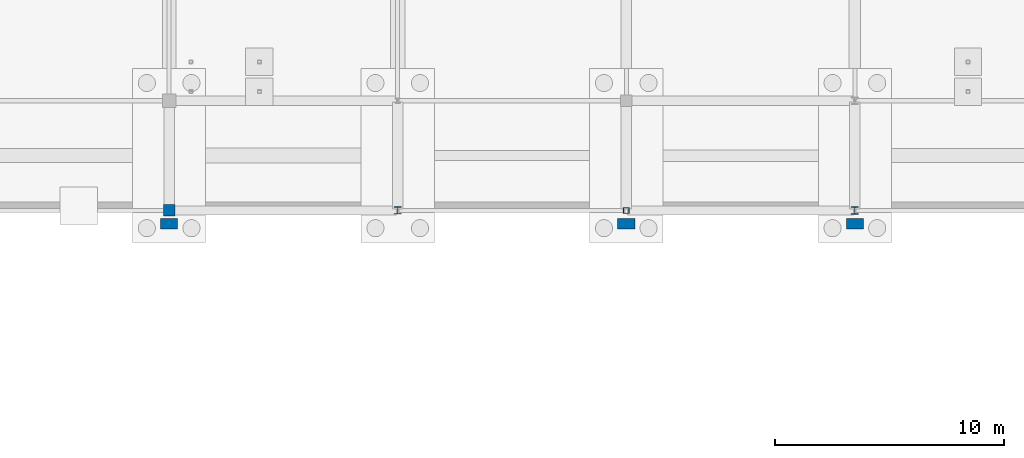
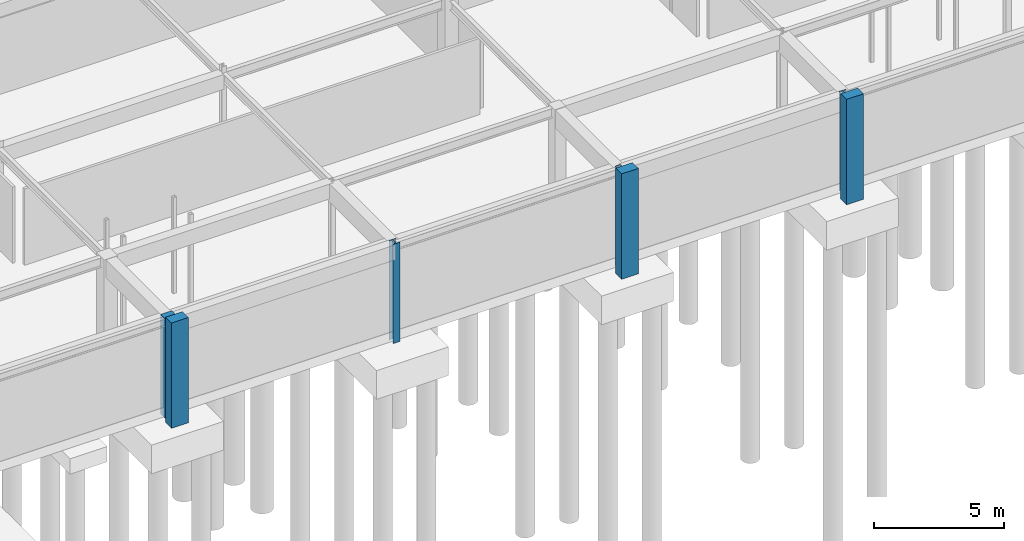
# One storey, part 31 of 75: 7 columns.
"""IFC4 building model written with IfcOpenShell, lengths in metres."""

from ifc_helpers import new_model, si_unit, derived_unit, direction, frame, origin, origin_2d_with_axis, place, context, subcontext, project, spatial, rectangle, hollow_rectangle, i_section, extrude, material, material_profile, profile_set, type_object, element, save


model = new_model("IFC4")

# Units and contexts
model_context = context("Model", 3, precision=1e-05, world=origin(), true_north=direction((0.0, 1.0)))
body_context = subcontext(model_context, "Body", "Model", "MODEL_VIEW")
ifc_project = project(units=[si_unit("LENGTHUNIT", "METRE"), si_unit("AREAUNIT", "SQUARE_METRE"), si_unit("VOLUMEUNIT", "CUBIC_METRE"), si_unit("PLANEANGLEUNIT", "RADIAN"), si_unit("MASSUNIT", "GRAM", prefix="KILO"), derived_unit("THERMALTRANSMITTANCEUNIT", [(si_unit("POWERUNIT", "WATT"), 1), (si_unit("LENGTHUNIT", "METRE"), -2), (si_unit("THERMODYNAMICTEMPERATUREUNIT", "KELVIN"), -1)])], contexts=[model_context])

# Site, building, storey
site_placement = place(None, origin())
site = spatial("IfcSite", under=ifc_project, at=site_placement, CompositionType="ELEMENT")
building_placement = place(site_placement, origin())
building = spatial("IfcBuilding", under=site, at=building_placement, Name="Cinnabar Yard Market Hall", CompositionType="ELEMENT")
storey_placement = place(building_placement, frame((0.0, 0.0, -4.5)))
storey = spatial("IfcBuildingStorey", under=building, at=storey_placement, Name="B1", CompositionType="ELEMENT", Elevation=-4.5)

# Columns
ifc_material_1 = material(Name="Steel Grade 300 (300 MPa)", Category="steel")
ifc_material_profile_1 = material_profile(ifc_material_1, i_section(OverallWidth=0.307373046875, OverallDepth=0.314697265625, WebThickness=0.011962890625, FlangeThickness=0.018798828125, FilletRadius=0.0166015625, at=origin_2d_with_axis()), Name="310UC118")
ifc_profile_set_1 = profile_set([ifc_material_profile_1], Name="Steel Grade 300 (300 MPa)")
column_type_1 = type_object("IfcColumnType", Name="COL-C08", PredefinedType="COLUMN", material=ifc_profile_set_1)
column_1_placement = place(storey_placement, frame((136.0, 108.0, -0.449951171875), z_axis=(0.0, 0.0, 1.0), x_axis=(1.0, 0.0, 0.0)))
element("IfcColumn", 1, at=column_1_placement, inside=storey, type_object=column_type_1, Name="Wing Column V3-08-01 B1", PredefinedType="COLUMN", context=body_context, shape_type="SweptSolid", body=[
    extrude(i_section(OverallWidth=0.307373046875, OverallDepth=0.314697265625, WebThickness=0.011962890625, FlangeThickness=0.018798828125, FilletRadius=0.0166015625, at=origin_2d_with_axis()), origin(), (0.0, 0.0, 1.0), 4.669921875),
])
ifc_material_profile_2 = material_profile(ifc_material_1, i_section(OverallWidth=0.304931640625, OverallDepth=0.30810546875, WebThickness=0.010009765625, FlangeThickness=0.015380859375, FilletRadius=0.0166015625, at=origin_2d_with_axis()), Name="310UC96.8")
ifc_profile_set_2 = profile_set([ifc_material_profile_2], Name="Steel Grade 300 (300 MPa)")
column_type_2 = type_object("IfcColumnType", Name="COL-C09", PredefinedType="COLUMN", material=ifc_profile_set_2)
column_2_placement = place(storey_placement, frame((116.0, 108.0, -0.449951171875), z_axis=(0.0, 0.0, 1.0), x_axis=(1.0, 0.0, 0.0)))
element("IfcColumn", 2, at=column_2_placement, inside=storey, type_object=column_type_2, Name="Wing Column V3-06-01 B1", PredefinedType="COLUMN", context=body_context, shape_type="SweptSolid", body=[
    extrude(i_section(OverallWidth=0.304931640625, OverallDepth=0.30810546875, WebThickness=0.010009765625, FlangeThickness=0.015380859375, FilletRadius=0.0166015625, at=origin_2d_with_axis()), origin(), (0.0, 0.0, 1.0), 4.669921875),
])
ifc_material_2 = material(Name="Cold-formed steel C350L0", Category="steel")
ifc_material_profile_3 = material_profile(ifc_material_2, hollow_rectangle(XDim=0.25, YDim=0.25, WallThickness=0.009033203125, InnerFilletRadius=0.009033203125, OuterFilletRadius=0.01806640625, at=origin_2d_with_axis()), Name="250x250x9.0SHS")
ifc_profile_set_3 = profile_set([ifc_material_profile_3], Name="Cold-formed steel C350L0")
column_type_3 = type_object("IfcColumnType", Name="COL-C20", PredefinedType="COLUMN", material=ifc_profile_set_3)
column_3_placement = place(storey_placement, frame((126.0, 108.0, -0.449951171875), z_axis=(0.0, 0.0, 1.0), x_axis=(1.0, 0.0, 0.0)))
element("IfcColumn", 3, at=column_3_placement, inside=storey, type_object=column_type_3, Name="Wing Column V3-07-01 B1", PredefinedType="COLUMN", context=body_context, shape_type="SweptSolid", body=[
    extrude(hollow_rectangle(XDim=0.25, YDim=0.25, WallThickness=0.009033203125, InnerFilletRadius=0.009033203125, OuterFilletRadius=0.01806640625, at=origin_2d_with_axis()), origin(), (0.0, 0.0, 1.0), 4.669921875),
])
ifc_material_3 = material(Name="Concrete 40 MPa", Category="concrete")
ifc_material_profile_4 = material_profile(ifc_material_3, rectangle(XDim=0.75, YDim=0.449951171875, at=origin_2d_with_axis()), Name="RC-750x450")
ifc_profile_set_4 = profile_set([ifc_material_profile_4], Name="Concrete 40 MPa")
column_type_4 = type_object("IfcColumnType", Name="COL-PIL1", PredefinedType="PILASTER", material=ifc_profile_set_4)
for number, where, z_axis, x_axis, name in (
    (4, (106.0, 107.419921875, -0.449951171875), (0.0, 0.0, 1.0), (1.0, 0.0, 0.0), "Pilaster Pier 04"),
    (5, (126.0, 107.419921875, -0.449951171875), (0.0, 0.0, 1.0), (1.0, 0.0, 0.0), "Pilaster Pier 05"),
    (6, (136.0, 107.419921875, -0.449951171875), (0.0, 0.0, 1.0), (1.0, 0.0, 0.0), "Pilaster Pier 06"),
):
    element("IfcColumn", number, at=place(storey_placement, frame(where, z_axis=z_axis, x_axis=x_axis)), inside=storey, type_object=column_type_4, Name=name, PredefinedType="PILASTER", context=body_context, shape_type="SweptSolid", body=[
        extrude(rectangle(XDim=0.75, YDim=0.449951171875, at=origin_2d_with_axis()), origin(), (0.0, 0.0, 1.0), 4.949951171875),
    ])
ifc_material_profile_5 = material_profile(ifc_material_3, rectangle(XDim=0.5, YDim=0.5, at=origin_2d_with_axis()), Name="RC-500x500")
ifc_profile_set_5 = profile_set([ifc_material_profile_5], Name="Concrete 40 MPa")
column_type_5 = type_object("IfcColumnType", Name="COL-RC1", PredefinedType="COLUMN", material=ifc_profile_set_5)
column_4_placement = place(storey_placement, frame((106.0, 108.0, -0.449951171875), z_axis=(0.0, 0.0, 1.0), x_axis=(1.0, 0.0, 0.0)))
element("IfcColumn", 7, at=column_4_placement, inside=storey, type_object=column_type_5, Name="Wing Column V3-05-01 B1", PredefinedType="COLUMN", context=body_context, shape_type="SweptSolid", body=[
    extrude(rectangle(XDim=0.5, YDim=0.5, at=origin_2d_with_axis()), origin(), (0.0, 0.0, 1.0), 4.669921875),
])

save(model, "model.ifc")
